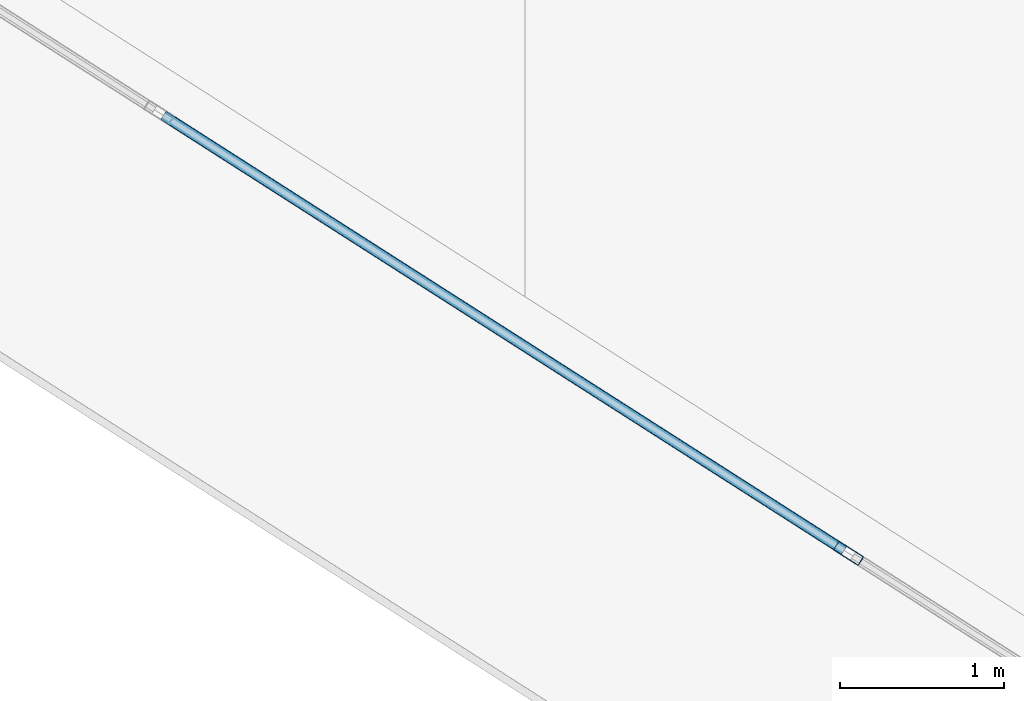
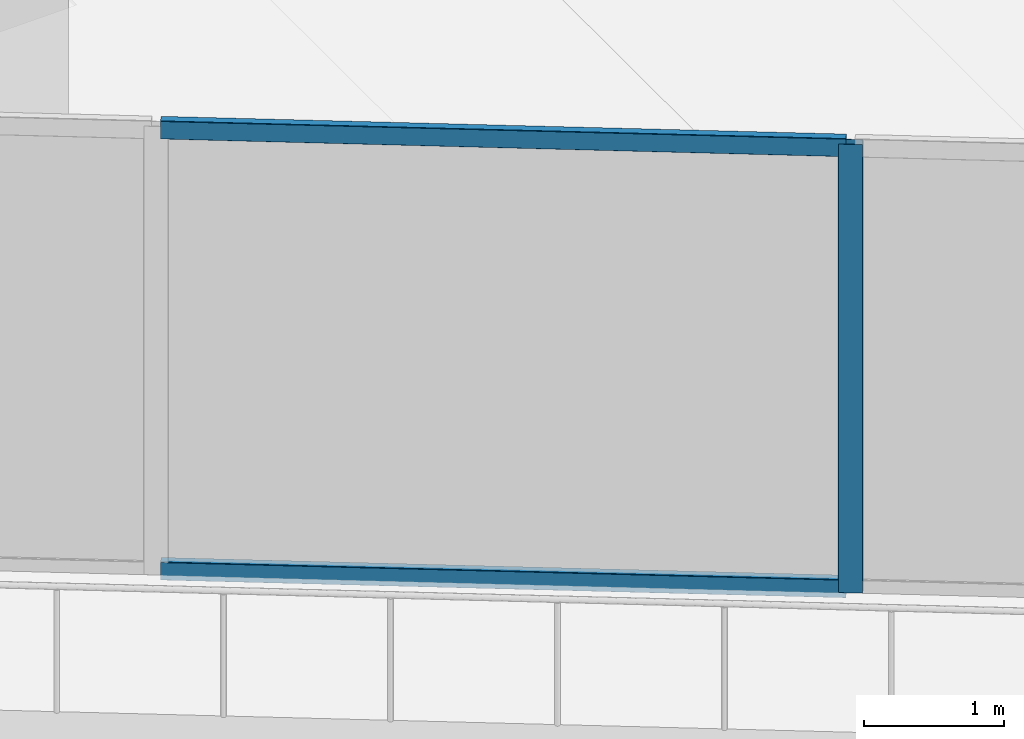
# One storey, part 8 of 44: 3 members, 1 element without a shape of its own.
"""IFC4 building model written with IfcOpenShell, lengths in metres."""

from ifc_helpers import new_model, si_unit, direction, frame, origin, origin_2d, place, context, subcontext, project, spatial, hollow_rectangle, extrude, material, layer, layer_set, material_profile, profile_set, type_object, element, aggregate, save


model = new_model("IFC4")

# Units and contexts
model_context = context("Model", 3, precision=1e-05, world=origin(), true_north=direction((0.0, 1.0)))
body_context = subcontext(model_context, "Body", "Model", "MODEL_VIEW")
ifc_project = project(units=[si_unit("LENGTHUNIT", "METRE"), si_unit("AREAUNIT", "SQUARE_METRE"), si_unit("VOLUMEUNIT", "CUBIC_METRE"), si_unit("PLANEANGLEUNIT", "RADIAN"), si_unit("MASSUNIT", "GRAM", prefix="KILO")], contexts=[model_context])

# Site, building, storey
site_placement = place(None, origin())
site = spatial("IfcSite", under=ifc_project, at=site_placement, CompositionType="ELEMENT")
building_placement = place(site_placement, origin())
building = spatial("IfcBuilding", under=site, at=building_placement, Name="Qorvath Tower", CompositionType="ELEMENT")
storey_placement = place(building_placement, frame((0.0, 0.0, 40.800048828125)))
storey = spatial("IfcBuildingStorey", under=building, at=storey_placement, Name="L08", CompositionType="ELEMENT", Elevation=40.800048828125)

# Curtain wall, members
ifc_material_1 = material(Name="Anodised aluminium and triple low-E glass", Category="aluminium")
ifc_layer = layer(ifc_material_1, 0.179931640625)
ifc_layer_set = layer_set([ifc_layer], Name="CW-SYS-2")
curtain_wall_type = type_object("IfcCurtainWallType", Name="CW-SYS-2", PredefinedType="NOTDEFINED", material=ifc_layer_set)
curtain_wall_placement = place(storey_placement, origin())
curtain_wall = element("IfcCurtainWall", 1, at=curtain_wall_placement, inside=storey, type_object=curtain_wall_type, Name="Curtain Wall CW-2 CW-T-L08-2.2", PredefinedType="NOTDEFINED")
ifc_material_2 = material(Name="Anodised aluminium 6063-T6", Category="aluminium")
ifc_material_profile_1 = material_profile(ifc_material_2, hollow_rectangle(XDim=0.06494140625, YDim=0.179931640625, WallThickness=0.00341796875, InnerFilletRadius=0.00341796875, OuterFilletRadius=0.007080078125, at=origin_2d()), Name="CWM 180x65")
ifc_profile_set_1 = profile_set([ifc_material_profile_1], Name="Anodised aluminium 6063-T6")
member_type_1 = type_object("IfcMemberType", Name="CWM-180", PredefinedType="MULLION", material=ifc_profile_set_1)
member_1_placement = place(storey_placement, frame((-27.4453125, -25.366943359375, 0.0), z_axis=(0.0, 0.0, 1.0), x_axis=(0.538536571861, 0.842602136698, 0.0)))
member_1 = element("IfcMember", 2, at=member_1_placement, type_object=member_type_1, Name="CW-2 mullion 4", PredefinedType="MULLION", context=body_context, shape_type="SweptSolid", body=[
    extrude(hollow_rectangle(XDim=0.06494140625, YDim=0.179931640625, WallThickness=0.00341796875, InnerFilletRadius=0.00341796875, OuterFilletRadius=0.007080078125, at=origin_2d()), origin(), (0.0, 0.0, 1.0), 3.919921875),
])
ifc_material_3 = material(Name="Anodised aluminium 6063-T6", Category="aluminium")
ifc_material_profile_2 = material_profile(ifc_material_3, hollow_rectangle(XDim=0.06494140625, YDim=0.159912109375, WallThickness=0.00341796875, InnerFilletRadius=0.00341796875, OuterFilletRadius=0.007080078125, at=origin_2d()), Name="CWT 160x65")
ifc_profile_set_2 = profile_set([ifc_material_profile_2], Name="Anodised aluminium 6063-T6")
member_type_2 = type_object("IfcMemberType", Name="CWT-160", PredefinedType="USERDEFINED", material=ifc_profile_set_2)
member_2_placement = place(storey_placement, frame((-31.611572265625, -22.703857421875, 0.032470703125), z_axis=(0.842585374104, -0.538562797959, 0.0), x_axis=(0.538562797959, 0.842585374104, 0.0)))
member_2 = element("IfcMember", 3, at=member_2_placement, type_object=member_type_2, Name="CW-2 transom 3.1", ObjectType="TRANSOM", PredefinedType="USERDEFINED", context=body_context, shape_type="SweptSolid", body=[
    extrude(hollow_rectangle(XDim=0.06494140625, YDim=0.159912109375, WallThickness=0.00341796875, InnerFilletRadius=0.00341796875, OuterFilletRadius=0.007080078125, at=origin_2d()), origin(), (0.0, 0.0, 1.0), 4.912109375),
])
member_3_placement = place(storey_placement, frame((-31.611572265625, -22.703857421875, 3.887451171875), z_axis=(0.842585374104, -0.538562797959, 0.0), x_axis=(0.538562797959, 0.842585374104, 0.0)))
member_3 = element("IfcMember", 4, at=member_3_placement, type_object=member_type_2, Name="CW-2 transom 3.2", ObjectType="TRANSOM", PredefinedType="USERDEFINED", context=body_context, shape_type="SweptSolid", body=[
    extrude(hollow_rectangle(XDim=0.06494140625, YDim=0.159912109375, WallThickness=0.00341796875, InnerFilletRadius=0.00341796875, OuterFilletRadius=0.007080078125, at=origin_2d()), origin(), (0.0, 0.0, 1.0), 4.912109375),
])
aggregate(curtain_wall, [member_1, member_2, member_3])

save(model, "model.ifc")
